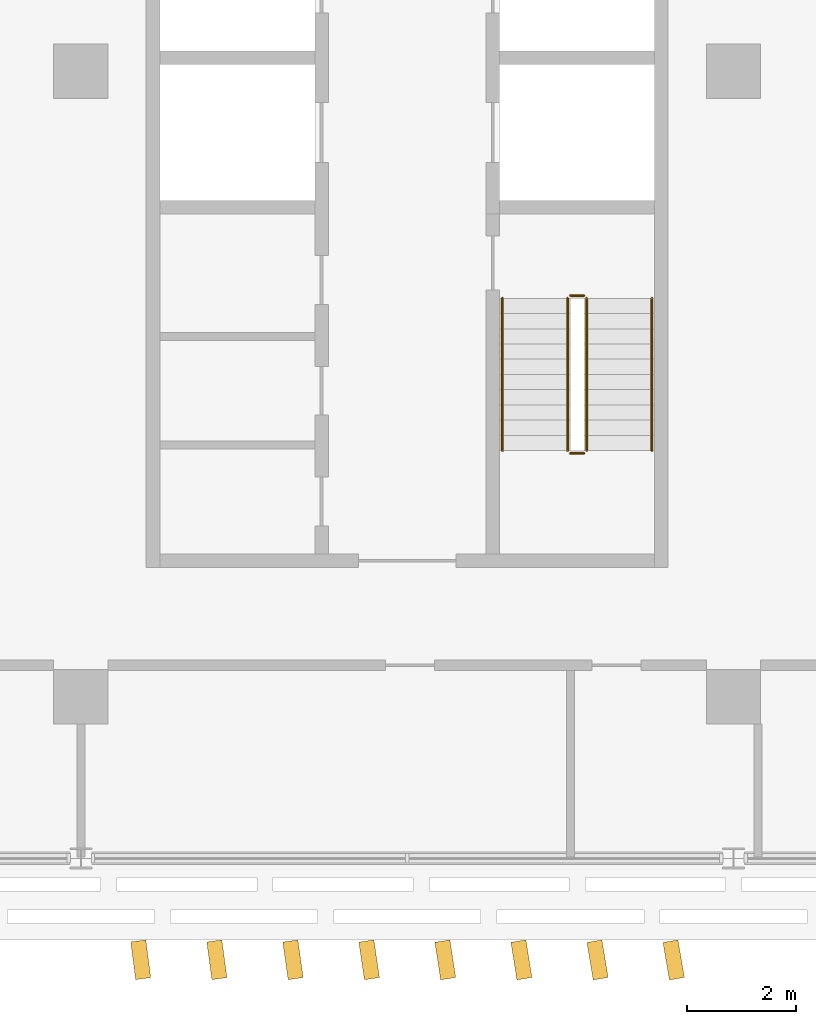
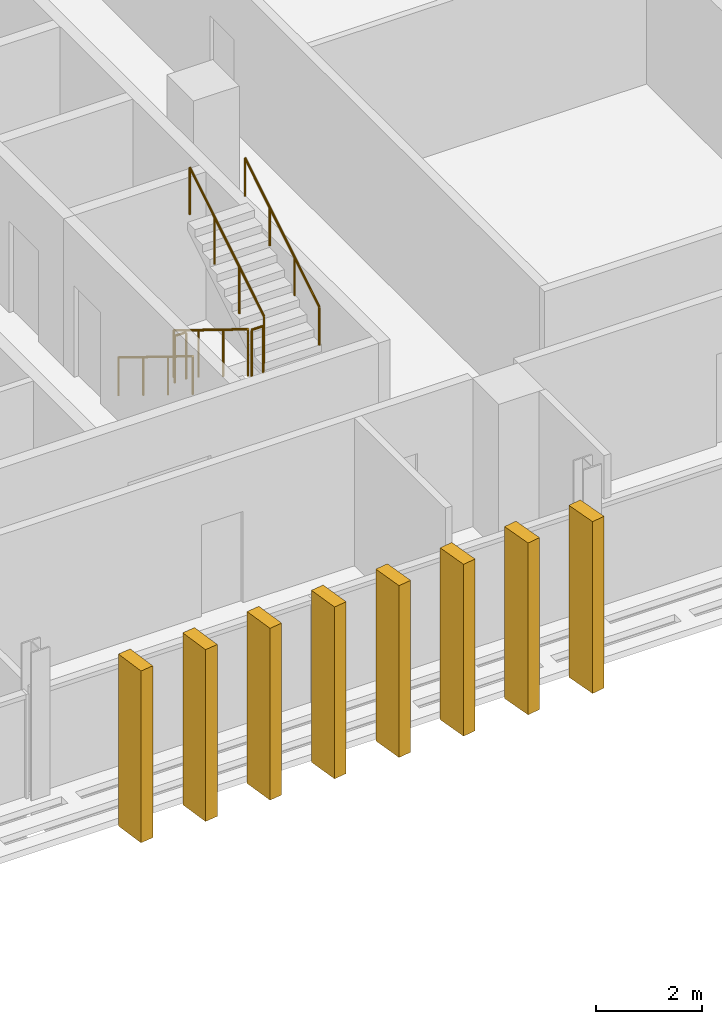
# One storey, part 28 of 33: 8 coverings, 6 railings.
"""IFC4 building model written with IfcOpenShell, lengths in metres."""

from ifc_helpers import new_model, si_unit, direction, frame, origin, origin_2d, place, context, subcontext, project, spatial, rectangle, circle, extrude, material, layer, layer_set, type_object, element, save


model = new_model("IFC4")

# Units and contexts
model_context = context("Model", 3, precision=1e-05, world=origin(), true_north=direction((0.0, 1.0)))
body_context = subcontext(model_context, "Body", "Model", "MODEL_VIEW")
ifc_project = project(units=[si_unit("LENGTHUNIT", "METRE"), si_unit("AREAUNIT", "SQUARE_METRE"), si_unit("VOLUMEUNIT", "CUBIC_METRE"), si_unit("PLANEANGLEUNIT", "RADIAN"), si_unit("MASSUNIT", "GRAM", prefix="KILO")], contexts=[model_context])

# Site, building, storey
site_placement = place(None, origin())
site = spatial("IfcSite", under=ifc_project, at=site_placement, CompositionType="ELEMENT")
building_placement = place(site_placement, origin())
building = spatial("IfcBuilding", under=site, at=building_placement, Name="Mahtab Terrace Research Tower", CompositionType="ELEMENT")
storey_placement = place(building_placement, frame((0.0, 0.0, 255.199951171875)))
storey = spatial("IfcBuildingStorey", under=building, at=storey_placement, Name="L62", CompositionType="ELEMENT", Elevation=255.199951171875)

# Railings
ifc_material_1 = material(Name="Stainless steel AISI 304", Category="steel")
railing_type_1 = type_object("IfcRailingType", Name="Stair guard 1100", PredefinedType="GUARDRAIL", material=ifc_material_1)
railing_1_placement = place(storey_placement, frame((2.949951171875, -4.175048828125, 0.1728515625)))
element("IfcRailing", 1, at=railing_1_placement, inside=storey, type_object=railing_type_1, Name="L62 ST2 stair guard 1", PredefinedType="GUARDRAIL", context=body_context, shape_type="SweptSolid", body=[
    extrude(circle(Radius=0.02392578125, at=origin_2d()), frame((0.0, 0.0, 1.076171875), z_axis=(0.0, -0.851089632645, 0.525020415988), x_axis=(1.0, 0.0, 0.0)), (0.0, 0.0, 1.0), 3.2900390625),
    extrude(circle(Radius=0.02099609375, at=origin_2d()), origin(), (0.0, 0.0, 1.0), 1.052001953125),
    extrude(circle(Radius=0.02099609375, at=origin_2d()), frame((0.0, -0.933349609375, 0.57568359375)), (0.0, 0.0, 1.0), 1.052001953125),
    extrude(circle(Radius=0.02099609375, at=origin_2d()), frame((0.0, -1.86669921875, 1.151611328125)), (0.0, 0.0, 1.0), 1.052001953125),
    extrude(circle(Radius=0.02099609375, at=origin_2d()), frame((0.0, -2.800048828125, 1.727294921875)), (0.0, 0.0, 1.0), 1.052001953125),
])
railing_2_placement = place(storey_placement, frame((3.0, -7.02490234375, 1.900146484375)))
element("IfcRailing", 2, at=railing_2_placement, inside=storey, type_object=railing_type_1, Name="L62 ST2 stair guard 2", PredefinedType="GUARDRAIL", context=body_context, shape_type="SweptSolid", body=[
    extrude(circle(Radius=0.02392578125, at=origin_2d()), frame((0.0, 0.0, 1.076171875), z_axis=(1.0, 0.0, 0.0), x_axis=(0.0, 1.0, 0.0)), (0.0, 0.0, 1.0), 0.25),
    extrude(circle(Radius=0.02099609375, at=origin_2d()), origin(), (0.0, 0.0, 1.0), 1.052001953125),
    extrude(circle(Radius=0.02099609375, at=origin_2d()), frame((0.25, 0.0, 0.0)), (0.0, 0.0, 1.0), 1.052001953125),
])
railing_3_placement = place(storey_placement, frame((3.300048828125, -6.97509765625, 2.07275390625)))
element("IfcRailing", 3, at=railing_3_placement, inside=storey, type_object=railing_type_1, Name="L62 ST2 stair guard 3", PredefinedType="GUARDRAIL", context=body_context, shape_type="SweptSolid", body=[
    extrude(circle(Radius=0.02392578125, at=origin_2d()), frame((0.0, 0.0, 1.076171875), z_axis=(0.0, 0.851089632645, 0.525020415988), x_axis=(-1.0, 0.0, 0.0)), (0.0, 0.0, 1.0), 3.2900390625),
    extrude(circle(Radius=0.02099609375, at=origin_2d()), origin(), (0.0, 0.0, 1.0), 1.052001953125),
    extrude(circle(Radius=0.02099609375, at=origin_2d()), frame((0.0, 0.933349609375, 0.57568359375)), (0.0, 0.0, 1.0), 1.052001953125),
    extrude(circle(Radius=0.02099609375, at=origin_2d()), frame((0.0, 1.86669921875, 1.151611328125)), (0.0, 0.0, 1.0), 1.052001953125),
    extrude(circle(Radius=0.02099609375, at=origin_2d()), frame((0.0, 2.800048828125, 1.727294921875)), (0.0, 0.0, 1.0), 1.052001953125),
])
railing_4_placement = place(storey_placement, frame((3.0, -4.125, 0.0)))
element("IfcRailing", 4, at=railing_4_placement, inside=storey, type_object=railing_type_1, Name="L62 ST2 stair guard 4", PredefinedType="GUARDRAIL", context=body_context, shape_type="SweptSolid", body=[
    extrude(circle(Radius=0.02392578125, at=origin_2d()), frame((0.0, 0.0, 1.076171875), z_axis=(1.0, 0.0, 0.0), x_axis=(0.0, 1.0, 0.0)), (0.0, 0.0, 1.0), 0.25),
    extrude(circle(Radius=0.02099609375, at=origin_2d()), origin(), (0.0, 0.0, 1.0), 1.052001953125),
    extrude(circle(Radius=0.02099609375, at=origin_2d()), frame((0.25, 0.0, 0.0)), (0.0, 0.0, 1.0), 1.052001953125),
])
railing_type_2 = type_object("IfcRailingType", Name="Stair handrail 900", PredefinedType="HANDRAIL", material=ifc_material_1)
railing_5_placement = place(storey_placement, frame((1.75, -4.175048828125, 0.1728515625)))
element("IfcRailing", 5, at=railing_5_placement, inside=storey, type_object=railing_type_2, Name="L62 ST2 stair handrail 1", PredefinedType="HANDRAIL", context=body_context, shape_type="SweptSolid", body=[
    extrude(circle(Radius=0.02392578125, at=origin_2d()), frame((0.0, 0.0, 0.8759765625), z_axis=(0.0, -0.851089632645, 0.525020415988), x_axis=(1.0, 0.0, 0.0)), (0.0, 0.0, 1.0), 3.2900390625),
    extrude(circle(Radius=0.02099609375, at=origin_2d()), origin(), (0.0, 0.0, 1.0), 0.851806640625),
    extrude(circle(Radius=0.02099609375, at=origin_2d()), frame((0.0, -0.933349609375, 0.57568359375)), (0.0, 0.0, 1.0), 0.851806640625),
    extrude(circle(Radius=0.02099609375, at=origin_2d()), frame((0.0, -1.86669921875, 1.151611328125)), (0.0, 0.0, 1.0), 0.851806640625),
    extrude(circle(Radius=0.02099609375, at=origin_2d()), frame((0.0, -2.800048828125, 1.727294921875)), (0.0, 0.0, 1.0), 0.851806640625),
])
railing_6_placement = place(storey_placement, frame((4.5, -6.97509765625, 2.07275390625)))
element("IfcRailing", 6, at=railing_6_placement, inside=storey, type_object=railing_type_2, Name="L62 ST2 stair handrail 2", PredefinedType="HANDRAIL", context=body_context, shape_type="SweptSolid", body=[
    extrude(circle(Radius=0.02392578125, at=origin_2d()), frame((0.0, 0.0, 0.8759765625), z_axis=(0.0, 0.851089632645, 0.525020415988), x_axis=(-1.0, 0.0, 0.0)), (0.0, 0.0, 1.0), 3.2900390625),
    extrude(circle(Radius=0.02099609375, at=origin_2d()), origin(), (0.0, 0.0, 1.0), 0.851806640625),
    extrude(circle(Radius=0.02099609375, at=origin_2d()), frame((0.0, 0.933349609375, 0.57568359375)), (0.0, 0.0, 1.0), 0.851806640625),
    extrude(circle(Radius=0.02099609375, at=origin_2d()), frame((0.0, 1.86669921875, 1.151611328125)), (0.0, 0.0, 1.0), 0.851806640625),
    extrude(circle(Radius=0.02099609375, at=origin_2d()), frame((0.0, 2.800048828125, 1.727294921875)), (0.0, 0.0, 1.0), 0.851806640625),
])

# Coverings
ifc_material_2 = material(Name="Bronze anodised aluminium", Category="aluminium")
ifc_layer = layer(ifc_material_2, 0.1201171875)
ifc_layer_set = layer_set([ifc_layer], Name="Vertical fin 700")
covering_type = type_object("IfcCoveringType", Name="Vertical fin 700", PredefinedType="CLADDING", material=ifc_layer_set)
for number, where, z_axis, x_axis, name in (
    (7, (-4.89990234375, -16.338134765625, -0.14990234375), (0.0, 0.0, 1.0), (0.991660454638, 0.128878014836, 0.0), "Fin L62 S1"),
    (8, (-3.5, -16.338623046875, -0.14990234375), (0.0, 0.0, 1.0), (0.990893894959, 0.13464504793, 0.0), "Fin L62 S2"),
    (9, (-2.10009765625, -16.339111328125, -0.14990234375), (0.0, 0.0, 1.0), (0.990093797205, 0.140407523789, 0.0), "Fin L62 S3"),
    (10, (-0.699951171875, -16.339599609375, -0.14990234375), (0.0, 0.0, 1.0), (0.989260188451, 0.146165247392, 0.0), "Fin L62 S4"),
    (11, (0.699951171875, -16.340087890625, -0.14990234375), (0.0, 0.0, 1.0), (0.988393096919, 0.151918023828, 0.0), "Fin L62 S5"),
    (12, (2.10009765625, -16.340576171875, -0.14990234375), (0.0, 0.0, 1.0), (0.987492551952, 0.157665658403, 0.0), "Fin L62 S6"),
    (13, (3.5, -16.341064453125, -0.14990234375), (0.0, 0.0, 1.0), (0.986558584029, 0.163407956598, 0.0), "Fin L62 S7"),
    (14, (4.89990234375, -16.341552734375, -0.14990234375), (0.0, 0.0, 1.0), (0.985591224765, 0.169144724024, 0.0), "Fin L62 S8"),
):
    element("IfcCovering", number, at=place(storey_placement, frame(where, z_axis=z_axis, x_axis=x_axis)), inside=storey, type_object=covering_type, Name=name, PredefinedType="CLADDING", context=body_context, shape_type="SweptSolid", body=[
        extrude(rectangle(XDim=0.280029296875, YDim=0.699951171875, at=origin_2d()), origin(), (0.0, 0.0, 1.0), 3.949951171875),
    ])

save(model, "model.ifc")
